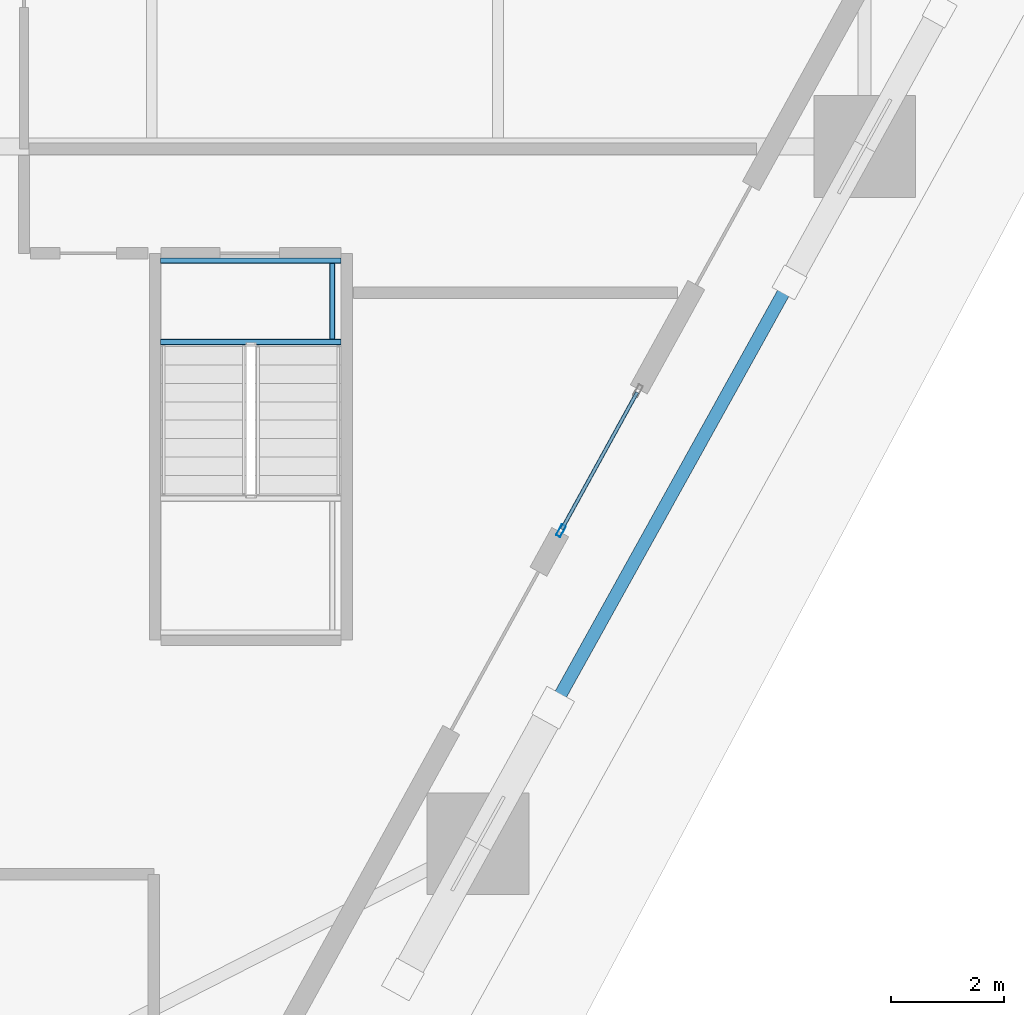
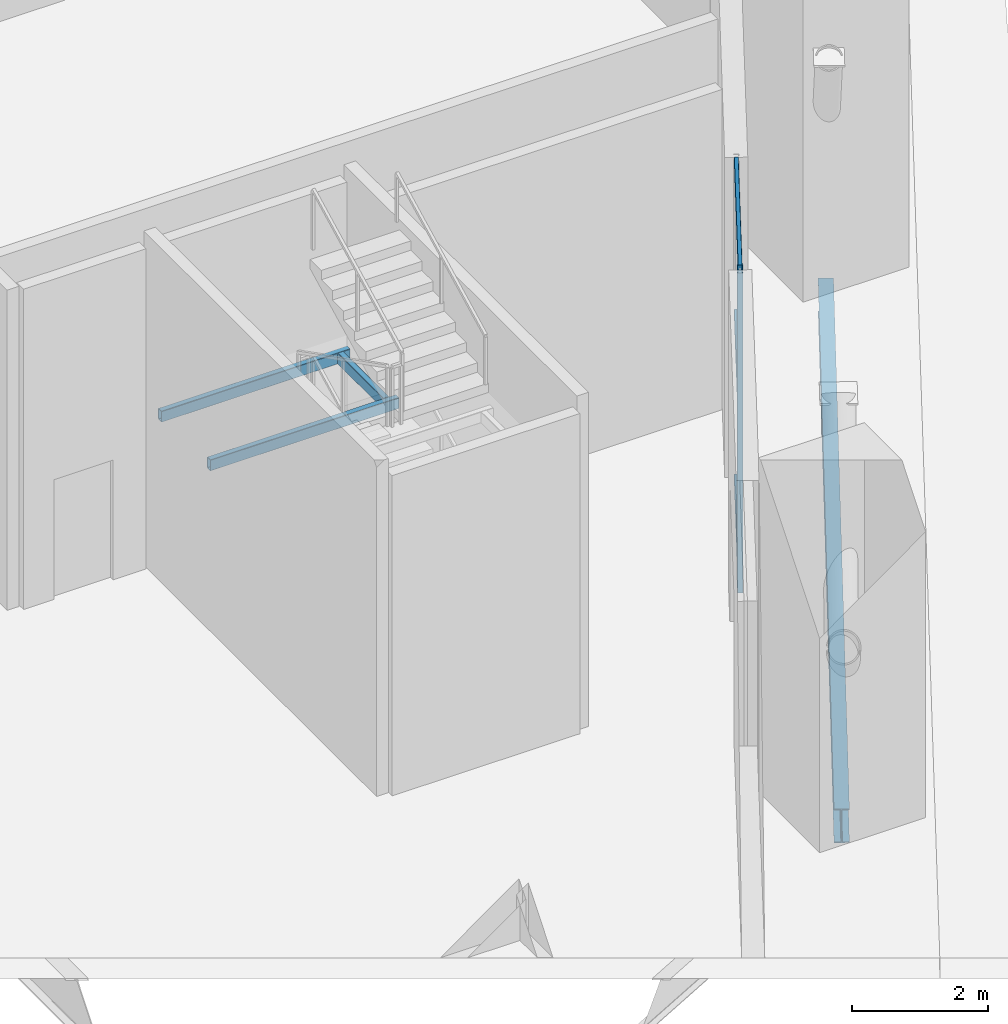
# One storey, part 7 of 22: 4 beams, 4 members, 1 element without a shape of its own.
"""IFC4 building model written with IfcOpenShell, lengths in metres."""

import ifcopenshell
import ifcopenshell.guid

model = None  # the IFC model being written
_history = None  # IfcOwnerHistory: only IFC2X3 demands one
_inside = {}  # id of a spatial element -> (the spatial element, [elements in it])
_under = {}  # id of a project, library or spatial element -> (it, [spatial elements below it])
_declared = {}  # id of a project -> (the project, [libraries it declares])
_typed = {}  # id of a type object -> (the type object, [elements of that type])
_made_of = {}  # id of a material, layer set ... -> (it, [elements and type objects made of it])


def new_model(schema):
    """Start an empty IFC model of exactly this schema.

    Asked for "IFC4X3", IfcOpenShell would pick the latest addendum, in which some entities
    have other attributes; the version numbers below select the first issue.
    IFC2X3 requires an IfcOwnerHistory on every rooted entity: one is made here for all.
    """
    global model, _history
    if schema == "IFC4X3":
        model = ifcopenshell.file(schema_version=(4, 3, 0, 0))
    else:
        model = ifcopenshell.file(schema=schema)
    _inside.clear()
    _under.clear()
    _declared.clear()
    _typed.clear()
    _made_of.clear()
    _history = None
    if model.schema == "IFC2X3":
        org = make("IfcOrganization", Name="unknown")
        user = make(
            "IfcPersonAndOrganization",
            ThePerson=make("IfcPerson", FamilyName="unknown"),
            TheOrganization=org,
        )
        app = make(
            "IfcApplication",
            ApplicationDeveloper=org,
            Version="unknown",
            ApplicationFullName="unknown",
            ApplicationIdentifier="unknown",
        )
        _history = make(
            "IfcOwnerHistory",
            OwningUser=user,
            OwningApplication=app,
            ChangeAction="ADDED",
            CreationDate=0,
        )
    return model


def make(cls, **values):
    """One entity of the class cls with the attributes given. An attribute that is None is left unset."""
    return model.create_entity(
        cls, **{name: value for name, value in values.items() if value is not None}
    )


def rooted(cls, **values):
    """An entity with a GlobalId (a new one), such as an element, a storey or a relation."""
    return make(cls, GlobalId=ifcopenshell.guid.new(), OwnerHistory=_history, **values)


def si_unit(unit_type, name, prefix=None):
    """IfcSIUnit, for example si_unit("LENGTHUNIT", "METRE", prefix="MILLI")."""
    return make("IfcSIUnit", UnitType=unit_type, Prefix=prefix, Name=name)


def assignment(units):
    """IfcUnitAssignment: the units of a project."""
    return None if units is None else make("IfcUnitAssignment", Units=units)


def point(xyz):
    """IfcCartesianPoint."""
    return None if xyz is None else make("IfcCartesianPoint", Coordinates=xyz)


def direction(xyz):
    """IfcDirection."""
    return None if xyz is None else make("IfcDirection", DirectionRatios=xyz)


def frame(location, z_axis=None, x_axis=None):
    """IfcAxis2Placement3D, a coordinate frame: its origin and axes. An axis left out is left unset."""
    return make(
        "IfcAxis2Placement3D",
        Location=point(location),
        Axis=direction(z_axis),
        RefDirection=direction(x_axis),
    )


def frame_2d(location, x_axis=None):
    """IfcAxis2Placement2D, a coordinate frame in the plane: its origin and x axis."""
    return make(
        "IfcAxis2Placement2D", Location=point(location), RefDirection=direction(x_axis)
    )


def origin():
    """The frame at (0, 0, 0) with its axes left unset."""
    return frame((0.0, 0.0, 0.0))


def origin_2d():
    """The frame at (0, 0) in the plane with its x axis left unset."""
    return frame_2d((0.0, 0.0))


def place(relative_to, where):
    """IfcLocalPlacement: puts the frame where relative to a parent placement (None: the world)."""
    return make(
        "IfcLocalPlacement", PlacementRelTo=relative_to, RelativePlacement=where
    )


def context(
    kind, dimensions, precision=None, world=None, true_north=None, identifier=None
):
    """IfcGeometricRepresentationContext, for example the 3D "Model" context."""
    return make(
        "IfcGeometricRepresentationContext",
        ContextIdentifier=identifier,
        ContextType=kind,
        CoordinateSpaceDimension=dimensions,
        Precision=precision,
        WorldCoordinateSystem=world,
        TrueNorth=true_north,
    )


def subcontext(parent, identifier, kind, view, scale=None):
    """IfcGeometricRepresentationSubContext, for example "Body" below "Model"."""
    return make(
        "IfcGeometricRepresentationSubContext",
        ContextIdentifier=identifier,
        ContextType=kind,
        ParentContext=parent,
        TargetScale=scale,
        TargetView=view,
    )


def project(units=None, contexts=None):
    """IfcProject with its units and contexts."""
    return rooted(
        "IfcProject",
        Name="project",
        RepresentationContexts=contexts,
        UnitsInContext=assignment(units),
    )


def spatial(cls, under=None, at=None, **own):
    """A site, building, storey or space (cls), placed at a placement, below another one or the project."""
    s = rooted(cls, ObjectPlacement=at, **own)
    if under is not None:
        _under.setdefault(under.id(), (under, []))[1].append(s)
    return s


def profile(cls, at=None, kind="AREA", **sizes):
    """A parametric profile (cls). Its sizes go by their IFC names, for example OverallWidth=200.0."""
    return make(cls, ProfileType=kind, Position=at, **sizes)


def hollow_rectangle(**sizes):
    """IfcRectangleHollowProfileDef."""
    return profile("IfcRectangleHollowProfileDef", **sizes)


def i_section(**sizes):
    """IfcIShapeProfileDef."""
    return profile("IfcIShapeProfileDef", **sizes)


def extrude(swept, where, along, depth):
    """IfcExtrudedAreaSolid: the profile swept, set in the frame where, extruded along a direction by depth."""
    return make(
        "IfcExtrudedAreaSolid",
        SweptArea=swept,
        Position=where,
        ExtrudedDirection=direction(along),
        Depth=depth,
    )


def shape(context_of_items, identifier, shape_type, items):
    """IfcShapeRepresentation: the items that make up one representation, for example the "Body"."""
    return make(
        "IfcShapeRepresentation",
        ContextOfItems=context_of_items,
        RepresentationIdentifier=identifier,
        RepresentationType=shape_type,
        Items=items,
    )


def material(Name=None, Category=None):
    """IfcMaterial."""
    return make("IfcMaterial", Name=Name, Category=Category)


def layer(
    of_material, thickness, ventilated=None, Name=None, Category=None, Priority=None
):
    """IfcMaterialLayer: one layer of a wall or slab, of a material (None: an air gap)."""
    return make(
        "IfcMaterialLayer",
        Material=of_material,
        LayerThickness=thickness,
        IsVentilated=ventilated,
        Name=Name,
        Category=Category,
        Priority=Priority,
    )


def layer_set(layers, Name=None):
    """IfcMaterialLayerSet."""
    return make("IfcMaterialLayerSet", MaterialLayers=layers, LayerSetName=Name)


def material_profile(
    of_material, cross_section, Name=None, Category=None, Priority=None
):
    """IfcMaterialProfile: a cross section and its material."""
    return make(
        "IfcMaterialProfile",
        Name=Name,
        Material=of_material,
        Profile=cross_section,
        Priority=Priority,
        Category=Category,
    )


def profile_set(profiles, Name=None, composite=None):
    """IfcMaterialProfileSet."""
    return make(
        "IfcMaterialProfileSet",
        Name=Name,
        MaterialProfiles=profiles,
        CompositeProfile=composite,
    )


def made_of(thing, what):
    """Note that an element or type object is made of a material, layer set ...; save() writes the relation."""
    if what is not None:
        _made_of.setdefault(what.id(), (what, []))[1].append(thing)
    return thing


def type_object(cls, material=None, **own):
    """A type object (cls), such as IfcWallType, which elements share."""
    return made_of(rooted(cls, **own), material)


def element(
    cls,
    number,
    at=None,
    inside=None,
    cuts=None,
    type_object=None,
    material=None,
    context=None,
    identifier="Body",
    shape_type=None,
    held_by="IfcProductDefinitionShape",
    body=None,
    shapes=None,
    **own,
):
    """One element of the class cls, such as IfcWall. Its Tag is "e" and its number.

    at: its placement. inside: the storey or other place that contains it. cuts: it is an
    opening in that element (IfcRelVoidsElement). A single representation is given by context,
    identifier, shape_type and body (its items); several are given by shapes. held_by: the class
    of the entity that holds the representations. save() writes the other relations.
    """
    e = rooted(cls, Tag="e%d" % number, ObjectPlacement=at, **own)
    if body is not None:
        shapes = [shape(context, identifier, shape_type, body)]
    if shapes is not None:
        e.Representation = make(held_by, Representations=shapes)
    if inside is not None:
        _inside.setdefault(inside.id(), (inside, []))[1].append(e)
    if cuts is not None:
        rooted(
            "IfcRelVoidsElement", RelatingBuildingElement=cuts, RelatedOpeningElement=e
        )
    if type_object is not None:
        _typed.setdefault(type_object.id(), (type_object, []))[1].append(e)
    return made_of(e, material)


def aggregate(whole, parts):
    """IfcRelAggregates: a whole, such as a stair, and the parts it consists of."""
    return rooted("IfcRelAggregates", RelatingObject=whole, RelatedObjects=parts)


def save(model, path):
    """Write the relations noted so far, then the file.

    IfcRelAggregates (storeys below a building ...), IfcRelContainedInSpatialStructure (elements
    in a storey), IfcRelDefinesByType, IfcRelAssociatesMaterial and IfcRelDeclares: one each for
    every whole, place, type object, material and project.
    """
    for whole, parts in _under.values():
        aggregate(whole, parts)
    for where, things in _inside.values():
        rooted(
            "IfcRelContainedInSpatialStructure",
            RelatedElements=things,
            RelatingStructure=where,
        )
    for kind, things in _typed.values():
        rooted("IfcRelDefinesByType", RelatedObjects=things, RelatingType=kind)
    for what, things in _made_of.values():
        rooted("IfcRelAssociatesMaterial", RelatedObjects=things, RelatingMaterial=what)
    for by, libraries in _declared.values():
        rooted("IfcRelDeclares", RelatingContext=by, RelatedDefinitions=libraries)
    model.write(path)


model = new_model("IFC4")

# Units and contexts
model_context = context("Model", 3, precision=1e-05, world=origin(), true_north=direction((0.0, 1.0)))
body_context = subcontext(model_context, "Body", "Model", "MODEL_VIEW")
ifc_project = project(units=[si_unit("LENGTHUNIT", "METRE"), si_unit("AREAUNIT", "SQUARE_METRE"), si_unit("VOLUMEUNIT", "CUBIC_METRE"), si_unit("PLANEANGLEUNIT", "RADIAN"), si_unit("MASSUNIT", "GRAM", prefix="KILO")], contexts=[model_context])

# Site, building, storey
site_placement = place(None, origin())
site = spatial("IfcSite", under=ifc_project, at=site_placement, CompositionType="ELEMENT")
building_placement = place(site_placement, origin())
building = spatial("IfcBuilding", under=site, at=building_placement, Name="Cinnabar Lancet Tower", CompositionType="ELEMENT")
storey_placement = place(building_placement, origin())
storey = spatial("IfcBuildingStorey", under=building, at=storey_placement, Name="L00", CompositionType="ELEMENT", Elevation=0.0)

# Curtain wall, members
ifc_material_1 = material(Name="Thermally broken bronze-anodized aluminium and low-E glass", Category="aluminium")
ifc_layer = layer(ifc_material_1, 0.179931640625)
ifc_layer_set = layer_set([ifc_layer], Name="Thermally broken bronze-anodized aluminium and low-E glass")
curtain_wall_type = type_object("IfcCurtainWallType", Name="ENV-CW-SYS-01", PredefinedType="NOTDEFINED", material=ifc_layer_set)
curtain_wall_placement = place(storey_placement, origin())
curtain_wall = element("IfcCurtainWall", 1, at=curtain_wall_placement, inside=storey, type_object=curtain_wall_type, Name="L00 Face 2 Lobby Curtain Wall", PredefinedType="NOTDEFINED")
ifc_material_2 = material(Name="Anodized architectural aluminium 6063-T6", Category="aluminium")
ifc_material_profile_1 = material_profile(ifc_material_2, hollow_rectangle(XDim=0.0849609375, YDim=0.219970703125, WallThickness=0.0048828125, InnerFilletRadius=0.00244140625, OuterFilletRadius=0.007568359375, at=origin_2d()), Name="CW-MUL 220x85x5")
ifc_profile_set_1 = profile_set([ifc_material_profile_1], Name="Anodized architectural aluminium 6063-T6")
member_type_1 = type_object("IfcMemberType", Name="ENV-CW-MUL-220", PredefinedType="MULLION", material=ifc_profile_set_1)
member_1_placement = place(storey_placement, frame((54.513427734375, 12.88720703125, 0.0), z_axis=(0.0, 0.0, 1.0), x_axis=(0.875981693706, -0.482344350326, 0.0)))
member_1 = element("IfcMember", 2, at=member_1_placement, type_object=member_type_1, Name="CW-01 mullion 2", PredefinedType="MULLION", context=body_context, shape_type="SweptSolid", body=[
    extrude(hollow_rectangle(XDim=0.0849609375, YDim=0.219970703125, WallThickness=0.0048828125, InnerFilletRadius=0.00244140625, OuterFilletRadius=0.007568359375, at=origin_2d()), origin(), (0.0, 0.0, 1.0), 5.75),
])
ifc_material_3 = material(Name="Anodized architectural aluminium 6063-T6", Category="aluminium")
ifc_material_profile_2 = material_profile(ifc_material_3, hollow_rectangle(XDim=0.06494140625, YDim=0.14990234375, WallThickness=0.00390625, InnerFilletRadius=0.001953125, OuterFilletRadius=0.006103515625, at=origin_2d()), Name="CW-TRN 150x65x4")
ifc_profile_set_2 = profile_set([ifc_material_profile_2], Name="Anodized architectural aluminium 6063-T6")
member_type_2 = type_object("IfcMemberType", Name="ENV-CW-TRN-160", PredefinedType="USERDEFINED", material=ifc_profile_set_2)
member_2_placement = place(storey_placement, frame((55.862060546875, 15.33642578125, 0.030029296875), z_axis=(-0.482379501575, -0.875962337353, 0.0), x_axis=(0.875962337353, -0.482379501575, 0.0)))
member_2 = element("IfcMember", 3, at=member_2_placement, type_object=member_type_2, Name="CW-01 transom 1.1", ObjectType="TRANSOM", PredefinedType="USERDEFINED", context=body_context, shape_type="SweptSolid", body=[
    extrude(hollow_rectangle(XDim=0.06494140625, YDim=0.14990234375, WallThickness=0.00390625, InnerFilletRadius=0.001953125, OuterFilletRadius=0.006103515625, at=origin_2d()), origin(), (0.0, 0.0, 1.0), 2.765869140625),
])
member_3_placement = place(storey_placement, frame((55.862060546875, 15.33642578125, 2.989990234375), z_axis=(-0.482379501575, -0.875962337353, 0.0), x_axis=(0.875962337353, -0.482379501575, 0.0)))
member_3 = element("IfcMember", 4, at=member_3_placement, type_object=member_type_2, Name="CW-01 transom 1.2", ObjectType="TRANSOM", PredefinedType="USERDEFINED", context=body_context, shape_type="SweptSolid", body=[
    extrude(hollow_rectangle(XDim=0.06494140625, YDim=0.14990234375, WallThickness=0.00390625, InnerFilletRadius=0.001953125, OuterFilletRadius=0.006103515625, at=origin_2d()), origin(), (0.0, 0.0, 1.0), 2.765869140625),
])
member_4_placement = place(storey_placement, frame((55.862060546875, 15.33642578125, 5.719970703125), z_axis=(-0.482379501575, -0.875962337353, 0.0), x_axis=(0.875962337353, -0.482379501575, 0.0)))
member_4 = element("IfcMember", 5, at=member_4_placement, type_object=member_type_2, Name="CW-01 transom 1.3", ObjectType="TRANSOM", PredefinedType="USERDEFINED", context=body_context, shape_type="SweptSolid", body=[
    extrude(hollow_rectangle(XDim=0.06494140625, YDim=0.14990234375, WallThickness=0.00390625, InnerFilletRadius=0.001953125, OuterFilletRadius=0.006103515625, at=origin_2d()), origin(), (0.0, 0.0, 1.0), 2.765869140625),
])
aggregate(curtain_wall, [member_1, member_2, member_3, member_4])

# Beams
ifc_material_4 = material(Name="Structural steel S355", Category="steel")
ifc_material_profile_3 = material_profile(ifc_material_4, hollow_rectangle(XDim=0.10009765625, YDim=0.199951171875, WallThickness=0.008056640625, InnerFilletRadius=0.00390625, OuterFilletRadius=0.011962890625, at=origin_2d()), Name="RHS 200x100x8")
ifc_profile_set_3 = profile_set([ifc_material_profile_3], Name="Structural steel S355")
beam_type_1 = type_object("IfcBeamType", Name="STR-BM-LND-203", PredefinedType="BEAM", material=ifc_profile_set_3)
for number, where, z_axis, x_axis, name in (
    (6, (47.419921875, 16.22998046875, 2.699951171875), (1.0, 0.0, 0.0), (0.0, 1.0, 0.0), "L00 ST-4-L00 Landing Support Beam S"),
    (7, (47.419921875, 17.669921875, 2.699951171875), (1.0, 0.0, 0.0), (0.0, 1.0, 0.0), "L00 ST-4-L00 Landing Support Beam N"),
):
    element("IfcBeam", number, at=place(storey_placement, frame(where, z_axis=z_axis, x_axis=x_axis)), inside=storey, type_object=beam_type_1, Name=name, PredefinedType="BEAM", context=body_context, shape_type="SweptSolid", body=[
        extrude(hollow_rectangle(XDim=0.10009765625, YDim=0.199951171875, WallThickness=0.008056640625, InnerFilletRadius=0.00390625, OuterFilletRadius=0.011962890625, at=origin_2d()), origin(), (0.0, 0.0, 1.0), 3.2001953125),
    ])
beam_1_placement = place(storey_placement, frame((50.4599609375, 16.280029296875, 2.699951171875), z_axis=(0.0, 1.0, 0.0), x_axis=(-1.0, 0.0, 0.0)))
element("IfcBeam", 8, at=beam_1_placement, inside=storey, type_object=beam_type_1, Name="L00 ST-4-L00 Landing Side Trimmer Beam", PredefinedType="BEAM", context=body_context, shape_type="SweptSolid", body=[
    extrude(hollow_rectangle(XDim=0.10009765625, YDim=0.199951171875, WallThickness=0.008056640625, InnerFilletRadius=0.00390625, OuterFilletRadius=0.011962890625, at=origin_2d()), origin(), (0.0, 0.0, 1.0), 1.340087890625),
])
ifc_material_5 = material(Name="Structural steel S355", Category="steel")
ifc_material_profile_4 = material_profile(ifc_material_5, i_section(OverallWidth=0.228271484375, OverallDepth=0.607666015625, WebThickness=0.010986328125, FlangeThickness=0.017333984375, FilletRadius=0.0126953125, at=origin_2d()), Name="UKB 610x229x113")
ifc_profile_set_4 = profile_set([ifc_material_profile_4], Name="Structural steel S355")
beam_type_2 = type_object("IfcBeamType", Name="STR-BM-SPN-610", PredefinedType="SPANDREL", material=ifc_profile_set_4)
beam_2_placement = place(storey_placement, frame((53.1640625, 7.56298828125, -0.553955078125), z_axis=(0.485044660428, 0.874489380947, 0.0), x_axis=(-0.874489380947, 0.485044660428, 0.0)))
element("IfcBeam", 9, at=beam_2_placement, inside=storey, type_object=beam_type_2, Name="L00 Perimeter Spandrel 3", PredefinedType="SPANDREL", context=body_context, shape_type="SweptSolid", body=[
    extrude(i_section(OverallWidth=0.228271484375, OverallDepth=0.607666015625, WebThickness=0.010986328125, FlangeThickness=0.017333984375, FilletRadius=0.0126953125, at=origin_2d()), origin(), (0.0, 0.0, 1.0), 13.619384765625),
])

save(model, "model.ifc")
